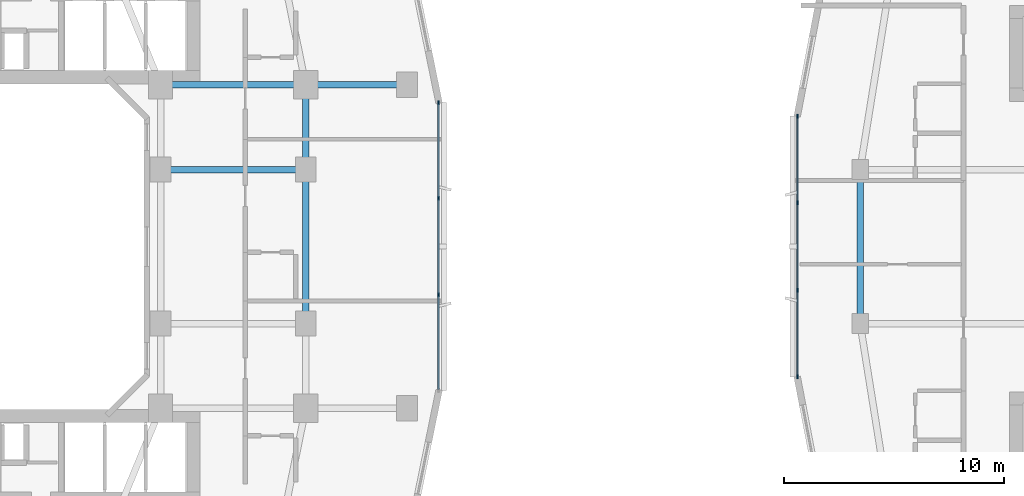
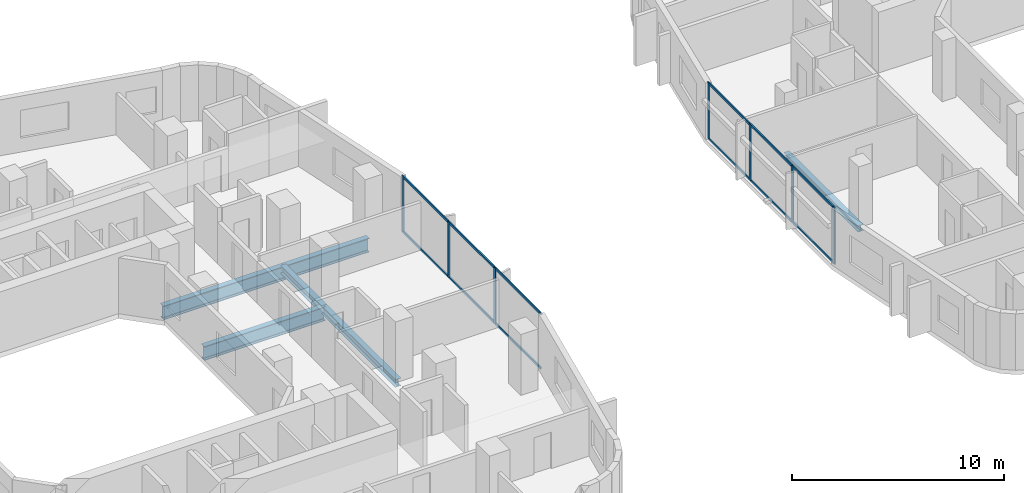
# One storey, part 5 of 27: 19 members, 6 beams, 2 elements without a shape of their own.
"""IFC4 building model written with IfcOpenShell, lengths in metres."""

from ifc_helpers import new_model, si_unit, derived_unit, direction, frame, origin, origin_2d, place, context, subcontext, project, spatial, rectangle, i_section, extrude, material, layer, layer_set, material_profile, profile_set, type_object, element, aggregate, save


model = new_model("IFC4")

# Units and contexts
model_context = context("Model", 3, precision=1e-05, world=origin(), true_north=direction((0.0, 1.0)))
body_context = subcontext(model_context, "Body", "Model", "MODEL_VIEW")
ifc_project = project(units=[si_unit("LENGTHUNIT", "METRE"), si_unit("AREAUNIT", "SQUARE_METRE"), si_unit("VOLUMEUNIT", "CUBIC_METRE"), si_unit("PLANEANGLEUNIT", "RADIAN"), si_unit("MASSUNIT", "GRAM", prefix="KILO"), derived_unit("THERMALTRANSMITTANCEUNIT", [(si_unit("POWERUNIT", "WATT"), 1), (si_unit("LENGTHUNIT", "METRE"), -2), (si_unit("THERMODYNAMICTEMPERATUREUNIT", "KELVIN"), -1)])], contexts=[model_context])

# Site, building, storey
site_placement = place(None, origin())
site = spatial("IfcSite", under=ifc_project, at=site_placement, CompositionType="ELEMENT")
building_placement = place(site_placement, origin())
building = spatial("IfcBuilding", under=site, at=building_placement, Name="Kivonza Crest Hotel", CompositionType="ELEMENT")
storey_placement = place(building_placement, frame((0.0, 0.0, 31.0)))
storey = spatial("IfcBuildingStorey", under=building, at=storey_placement, Name="L07", CompositionType="ELEMENT", Elevation=31.0)

# Beams
ifc_material_1 = material(Name="Steel S355", Category="steel")
ifc_material_profile_1 = material_profile(ifc_material_1, i_section(OverallWidth=0.300048828125, OverallDepth=0.360107421875, WebThickness=0.012451171875, FlangeThickness=0.0224609375, FilletRadius=0.027099609375, at=origin_2d()), Name="HEB 360")
ifc_profile_set_1 = profile_set([ifc_material_profile_1], Name="Steel S355")
beam_type_1 = type_object("IfcBeamType", Name="BM-HEB360", PredefinedType="SPANDREL", material=ifc_profile_set_1)
beam_1_placement = place(storey_placement, frame((61.0, 28.5, -0.429931640625), z_axis=(0.0, -1.0, 0.0), x_axis=(1.0, 0.0, 0.0)))
element("IfcBeam", 1, at=beam_1_placement, inside=storey, type_object=beam_type_1, Name="Companion Tower T2 L07 perimeter spandrel W2-W1", PredefinedType="SPANDREL", context=body_context, shape_type="SweptSolid", body=[
    extrude(i_section(OverallWidth=0.300048828125, OverallDepth=0.360107421875, WebThickness=0.012451171875, FlangeThickness=0.0224609375, FilletRadius=0.027099609375, at=origin_2d()), origin(), (0.0, 0.0, 1.0), 7.0),
])
ifc_material_profile_2 = material_profile(ifc_material_1, i_section(OverallWidth=0.300048828125, OverallDepth=0.449951171875, WebThickness=0.013916015625, FlangeThickness=0.02587890625, FilletRadius=0.027099609375, at=origin_2d()), Name="HEB 450")
ifc_profile_set_2 = profile_set([ifc_material_profile_2], Name="Steel S355")
beam_type_2 = type_object("IfcBeamType", Name="BM-HEB450", PredefinedType="SPANDREL", material=ifc_profile_set_2)
beam_2_placement = place(storey_placement, frame((35.800048828125, 21.5, -0.5048828125), z_axis=(0.0, 1.0, 0.0), x_axis=(-1.0, 0.0, 0.0)))
element("IfcBeam", 2, at=beam_2_placement, inside=storey, type_object=beam_type_2, Name="Tower T1 L07 perimeter spandrel E1-E2", PredefinedType="SPANDREL", context=body_context, shape_type="SweptSolid", body=[
    extrude(i_section(OverallWidth=0.300048828125, OverallDepth=0.449951171875, WebThickness=0.013916015625, FlangeThickness=0.02587890625, FilletRadius=0.027099609375, at=origin_2d()), origin(), (0.0, 0.0, 1.0), 7.0),
])
beam_3_placement = place(storey_placement, frame((35.800048828125, 28.5, -0.5048828125), z_axis=(0.0, 1.0, 0.0), x_axis=(-1.0, 0.0, 0.0)))
element("IfcBeam", 3, at=beam_3_placement, inside=storey, type_object=beam_type_2, Name="Tower T1 L07 perimeter spandrel E2-PNE", PredefinedType="SPANDREL", context=body_context, shape_type="SweptSolid", body=[
    extrude(i_section(OverallWidth=0.300048828125, OverallDepth=0.449951171875, WebThickness=0.013916015625, FlangeThickness=0.02587890625, FilletRadius=0.027099609375, at=origin_2d()), origin(), (0.0, 0.0, 1.0), 3.85009765625),
])
ifc_material_profile_3 = material_profile(ifc_material_1, i_section(OverallWidth=0.300048828125, OverallDepth=0.800048828125, WebThickness=0.017578125, FlangeThickness=0.032958984375, FilletRadius=0.030029296875, at=origin_2d()), Name="HEB 800")
ifc_profile_set_3 = profile_set([ifc_material_profile_3], Name="Steel S355")
beam_type_3 = type_object("IfcBeamType", Name="BM-HEB800", PredefinedType="BEAM", material=ifc_profile_set_3)
for number, where, z_axis, x_axis, name in (
    (4, (29.199951171875, 32.35009765625, -0.679931640625), (1.0, 0.0, 0.0), (0.0, 1.0, 0.0), "Tower T1 L07 primary girder TNE-PNE"),
    (5, (29.199951171875, 28.5, -0.679931640625), (1.0, 0.0, 0.0), (0.0, 1.0, 0.0), "Tower T1 L07 primary girder WR2-E2"),
):
    element("IfcBeam", number, at=place(storey_placement, frame(where, z_axis=z_axis, x_axis=x_axis)), inside=storey, type_object=beam_type_3, Name=name, PredefinedType="BEAM", context=body_context, shape_type="SweptSolid", body=[
        extrude(i_section(OverallWidth=0.300048828125, OverallDepth=0.800048828125, WebThickness=0.017578125, FlangeThickness=0.032958984375, FilletRadius=0.030029296875, at=origin_2d()), origin(), (0.0, 0.0, 1.0), 6.60009765625),
    ])
beam_4_placement = place(storey_placement, frame((40.39990234375, 32.35009765625, -0.679931640625), z_axis=(-1.0, 0.0, 0.0), x_axis=(0.0, -1.0, 0.0)))
element("IfcBeam", 6, at=beam_4_placement, inside=storey, type_object=beam_type_3, Name="Tower T1 L07 outer bay girder ZE2", PredefinedType="BEAM", context=body_context, shape_type="SweptSolid", body=[
    extrude(i_section(OverallWidth=0.300048828125, OverallDepth=0.800048828125, WebThickness=0.017578125, FlangeThickness=0.032958984375, FilletRadius=0.030029296875, at=origin_2d()), origin(), (0.0, 0.0, 1.0), 4.599853515625),
])

# Curtain wall, members
ifc_material_2 = material(Name="Anodised bronze aluminium and low-E double glazing", Category="aluminium")
ifc_layer_1 = layer(ifc_material_2, 0.179931640625)
ifc_layer_set_1 = layer_set([ifc_layer_1], Name="Anodised bronze aluminium and low-E double glazing")
curtain_wall_type_1 = type_object("IfcCurtainWallType", Name="CW-SYS-2", PredefinedType="NOTDEFINED", material=ifc_layer_set_1)
curtain_wall_1_placement = place(storey_placement, origin())
curtain_wall_1 = element("IfcCurtainWall", 7, at=curtain_wall_1_placement, inside=storey, type_object=curtain_wall_type_1, Name="L07 unitised curtain wall CW-T1-L07-17", PredefinedType="NOTDEFINED")
ifc_material_3 = material(Name="Anodised bronze aluminium", Category="aluminium")
ifc_material_profile_4 = material_profile(ifc_material_3, rectangle(XDim=0.06494140625, YDim=0.179931640625, at=origin_2d()), Name="CW-M 65x180")
ifc_profile_set_4 = profile_set([ifc_material_profile_4], Name="Anodised bronze aluminium")
member_type_1 = type_object("IfcMemberType", Name="CW-MUL-65x180", PredefinedType="MULLION", material=ifc_profile_set_4)
member_1_placement = place(storey_placement, frame((41.840087890625, 22.813232421875, 0.0), z_axis=(0.0, 0.0, 1.0), x_axis=(-1.0, 0.0, 0.0)))
member_1 = element("IfcMember", 8, at=member_1_placement, type_object=member_type_1, Name="CW-2 mullion 2", PredefinedType="MULLION", context=body_context, shape_type="SweptSolid", body=[
    extrude(rectangle(XDim=0.06494140625, YDim=0.179931640625, at=origin_2d()), origin(), (0.0, 0.0, 1.0), 3.219970703125),
])
member_2_placement = place(storey_placement, frame((41.840087890625, 27.186767578125, 0.0), z_axis=(0.0, 0.0, 1.0), x_axis=(-1.0, 0.0, 0.0)))
member_2 = element("IfcMember", 9, at=member_2_placement, type_object=member_type_1, Name="CW-2 mullion 3", PredefinedType="MULLION", context=body_context, shape_type="SweptSolid", body=[
    extrude(rectangle(XDim=0.06494140625, YDim=0.179931640625, at=origin_2d()), origin(), (0.0, 0.0, 1.0), 3.219970703125),
])
member_3_placement = place(storey_placement, frame((41.840087890625, 31.527587890625, 0.0), z_axis=(0.0, 0.0, 1.0), x_axis=(-1.0, 0.0, 0.0)))
member_3 = element("IfcMember", 10, at=member_3_placement, type_object=member_type_1, Name="CW-2 mullion 4", PredefinedType="MULLION", context=body_context, shape_type="SweptSolid", body=[
    extrude(rectangle(XDim=0.06494140625, YDim=0.179931640625, at=origin_2d()), origin(), (0.0, 0.0, 1.0), 3.219970703125),
])

ifc_layer_2 = layer(ifc_material_2, 0.179931640625)
ifc_layer_set_2 = layer_set([ifc_layer_2], Name="Anodised bronze aluminium and low-E double glazing")
curtain_wall_type_2 = type_object("IfcCurtainWallType", Name="CW-SYS-4", PredefinedType="NOTDEFINED", material=ifc_layer_set_2)
curtain_wall_2_placement = place(storey_placement, origin())
curtain_wall_2 = element("IfcCurtainWall", 11, at=curtain_wall_2_placement, inside=storey, type_object=curtain_wall_type_2, Name="L07 unitised curtain wall CW-T2-L07-35", PredefinedType="NOTDEFINED")
member_4_placement = place(storey_placement, frame((58.159912109375, 30.927490234375, 0.0), z_axis=(0.0, 0.0, 1.0), x_axis=(1.0, 0.0, 0.0)))
member_4 = element("IfcMember", 12, at=member_4_placement, type_object=member_type_1, Name="CW-4 mullion 1", PredefinedType="MULLION", context=body_context, shape_type="SweptSolid", body=[
    extrude(rectangle(XDim=0.06494140625, YDim=0.179931640625, at=origin_2d()), origin(), (0.0, 0.0, 1.0), 3.25),
])
member_5_placement = place(storey_placement, frame((58.159912109375, 26.986572265625, 0.0), z_axis=(0.0, 0.0, 1.0), x_axis=(1.0, 0.0, 0.0)))
member_5 = element("IfcMember", 13, at=member_5_placement, type_object=member_type_1, Name="CW-4 mullion 2", PredefinedType="MULLION", context=body_context, shape_type="SweptSolid", body=[
    extrude(rectangle(XDim=0.06494140625, YDim=0.179931640625, at=origin_2d()), origin(), (0.0, 0.0, 1.0), 3.25),
])
member_6_placement = place(storey_placement, frame((58.159912109375, 23.013427734375, 0.0), z_axis=(0.0, 0.0, 1.0), x_axis=(1.0, 0.0, 0.0)))
member_6 = element("IfcMember", 14, at=member_6_placement, type_object=member_type_1, Name="CW-4 mullion 3", PredefinedType="MULLION", context=body_context, shape_type="SweptSolid", body=[
    extrude(rectangle(XDim=0.06494140625, YDim=0.179931640625, at=origin_2d()), origin(), (0.0, 0.0, 1.0), 3.25),
])
member_7_placement = place(storey_placement, frame((58.159912109375, 19.072509765625, 0.0), z_axis=(0.0, 0.0, 1.0), x_axis=(1.0, 0.0, 0.0)))
member_7 = element("IfcMember", 15, at=member_7_placement, type_object=member_type_1, Name="CW-4 mullion 4", PredefinedType="MULLION", context=body_context, shape_type="SweptSolid", body=[
    extrude(rectangle(XDim=0.06494140625, YDim=0.179931640625, at=origin_2d()), origin(), (0.0, 0.0, 1.0), 3.25),
])

# Member
ifc_material_profile_5 = material_profile(ifc_material_3, rectangle(XDim=0.06494140625, YDim=0.139892578125, at=origin_2d()), Name="CW-T 65x140")
ifc_profile_set_5 = profile_set([ifc_material_profile_5], Name="Anodised bronze aluminium")
member_type_2 = type_object("IfcMemberType", Name="CW-TRN-65x140", PredefinedType="USERDEFINED", material=ifc_profile_set_5)
member_8_placement = place(storey_placement, frame((41.840087890625, 18.5048828125, 0.032470703125), z_axis=(0.0, 1.0, 0.0), x_axis=(-1.0, 0.0, 0.0)))
member_8 = element("IfcMember", 16, at=member_8_placement, type_object=member_type_2, Name="CW-2 transom 1.1", ObjectType="TRANSOM", PredefinedType="USERDEFINED", context=body_context, shape_type="SweptSolid", body=[
    extrude(rectangle(XDim=0.06494140625, YDim=0.139892578125, at=origin_2d()), origin(), (0.0, 0.0, 1.0), 4.27587890625),
])

member_9_placement = place(storey_placement, frame((41.840087890625, 18.5048828125, 3.1875), z_axis=(0.0, 1.0, 0.0), x_axis=(-1.0, 0.0, 0.0)))
member_9 = element("IfcMember", 17, at=member_9_placement, type_object=member_type_2, Name="CW-2 transom 1.2", ObjectType="TRANSOM", PredefinedType="USERDEFINED", context=body_context, shape_type="SweptSolid", body=[
    extrude(rectangle(XDim=0.06494140625, YDim=0.139892578125, at=origin_2d()), origin(), (0.0, 0.0, 1.0), 4.27587890625),
])

member_10_placement = place(storey_placement, frame((41.840087890625, 22.845947265625, 0.032470703125), z_axis=(0.0, 1.0, 0.0), x_axis=(-1.0, 0.0, 0.0)))
member_10 = element("IfcMember", 18, at=member_10_placement, type_object=member_type_2, Name="CW-2 transom 2.1", ObjectType="TRANSOM", PredefinedType="USERDEFINED", context=body_context, shape_type="SweptSolid", body=[
    extrude(rectangle(XDim=0.06494140625, YDim=0.139892578125, at=origin_2d()), origin(), (0.0, 0.0, 1.0), 4.30810546875),
])

member_11_placement = place(storey_placement, frame((41.840087890625, 22.845947265625, 3.1875), z_axis=(0.0, 1.0, 0.0), x_axis=(-1.0, 0.0, 0.0)))
member_11 = element("IfcMember", 19, at=member_11_placement, type_object=member_type_2, Name="CW-2 transom 2.2", ObjectType="TRANSOM", PredefinedType="USERDEFINED", context=body_context, shape_type="SweptSolid", body=[
    extrude(rectangle(XDim=0.06494140625, YDim=0.139892578125, at=origin_2d()), origin(), (0.0, 0.0, 1.0), 4.30810546875),
])

member_12_placement = place(storey_placement, frame((41.840087890625, 27.21923828125, 0.032470703125), z_axis=(0.0, 1.0, 0.0), x_axis=(-1.0, 0.0, 0.0)))
member_12 = element("IfcMember", 20, at=member_12_placement, type_object=member_type_2, Name="CW-2 transom 3.1", ObjectType="TRANSOM", PredefinedType="USERDEFINED", context=body_context, shape_type="SweptSolid", body=[
    extrude(rectangle(XDim=0.06494140625, YDim=0.139892578125, at=origin_2d()), origin(), (0.0, 0.0, 1.0), 4.27587890625),
])

member_13_placement = place(storey_placement, frame((41.840087890625, 27.21923828125, 3.1875), z_axis=(0.0, 1.0, 0.0), x_axis=(-1.0, 0.0, 0.0)))
member_13 = element("IfcMember", 21, at=member_13_placement, type_object=member_type_2, Name="CW-2 transom 3.2", ObjectType="TRANSOM", PredefinedType="USERDEFINED", context=body_context, shape_type="SweptSolid", body=[
    extrude(rectangle(XDim=0.06494140625, YDim=0.139892578125, at=origin_2d()), origin(), (0.0, 0.0, 1.0), 4.27587890625),
])

aggregate(curtain_wall_1, [member_1, member_2, member_3, member_8, member_9, member_10, member_11, member_12, member_13])

member_14_placement = place(storey_placement, frame((58.159912109375, 30.89501953125, 0.032470703125), z_axis=(0.0, -1.0, 0.0), x_axis=(1.0, 0.0, 0.0)))
member_14 = element("IfcMember", 22, at=member_14_placement, type_object=member_type_2, Name="CW-4 transom 1.1", ObjectType="TRANSOM", PredefinedType="USERDEFINED", context=body_context, shape_type="SweptSolid", body=[
    extrude(rectangle(XDim=0.06494140625, YDim=0.139892578125, at=origin_2d()), origin(), (0.0, 0.0, 1.0), 3.875732421875),
])

member_15_placement = place(storey_placement, frame((58.159912109375, 30.89501953125, 3.217529296875), z_axis=(0.0, -1.0, 0.0), x_axis=(1.0, 0.0, 0.0)))
member_15 = element("IfcMember", 23, at=member_15_placement, type_object=member_type_2, Name="CW-4 transom 1.2", ObjectType="TRANSOM", PredefinedType="USERDEFINED", context=body_context, shape_type="SweptSolid", body=[
    extrude(rectangle(XDim=0.06494140625, YDim=0.139892578125, at=origin_2d()), origin(), (0.0, 0.0, 1.0), 3.875732421875),
])

member_16_placement = place(storey_placement, frame((58.159912109375, 26.9541015625, 0.032470703125), z_axis=(0.0, -1.0, 0.0), x_axis=(1.0, 0.0, 0.0)))
member_16 = element("IfcMember", 24, at=member_16_placement, type_object=member_type_2, Name="CW-4 transom 2.1", ObjectType="TRANSOM", PredefinedType="USERDEFINED", context=body_context, shape_type="SweptSolid", body=[
    extrude(rectangle(XDim=0.06494140625, YDim=0.139892578125, at=origin_2d()), origin(), (0.0, 0.0, 1.0), 3.908203125),
])

member_17_placement = place(storey_placement, frame((58.159912109375, 26.9541015625, 3.217529296875), z_axis=(0.0, -1.0, 0.0), x_axis=(1.0, 0.0, 0.0)))
member_17 = element("IfcMember", 25, at=member_17_placement, type_object=member_type_2, Name="CW-4 transom 2.2", ObjectType="TRANSOM", PredefinedType="USERDEFINED", context=body_context, shape_type="SweptSolid", body=[
    extrude(rectangle(XDim=0.06494140625, YDim=0.139892578125, at=origin_2d()), origin(), (0.0, 0.0, 1.0), 3.908203125),
])

member_18_placement = place(storey_placement, frame((58.159912109375, 22.980712890625, 0.032470703125), z_axis=(0.0, -1.0, 0.0), x_axis=(1.0, 0.0, 0.0)))
member_18 = element("IfcMember", 26, at=member_18_placement, type_object=member_type_2, Name="CW-4 transom 3.1", ObjectType="TRANSOM", PredefinedType="USERDEFINED", context=body_context, shape_type="SweptSolid", body=[
    extrude(rectangle(XDim=0.06494140625, YDim=0.139892578125, at=origin_2d()), origin(), (0.0, 0.0, 1.0), 3.875732421875),
])

member_19_placement = place(storey_placement, frame((58.159912109375, 22.980712890625, 3.217529296875), z_axis=(0.0, -1.0, 0.0), x_axis=(1.0, 0.0, 0.0)))
member_19 = element("IfcMember", 27, at=member_19_placement, type_object=member_type_2, Name="CW-4 transom 3.2", ObjectType="TRANSOM", PredefinedType="USERDEFINED", context=body_context, shape_type="SweptSolid", body=[
    extrude(rectangle(XDim=0.06494140625, YDim=0.139892578125, at=origin_2d()), origin(), (0.0, 0.0, 1.0), 3.875732421875),
])

aggregate(curtain_wall_2, [member_4, member_5, member_6, member_7, member_14, member_15, member_16, member_17, member_18, member_19])

save(model, "model.ifc")
